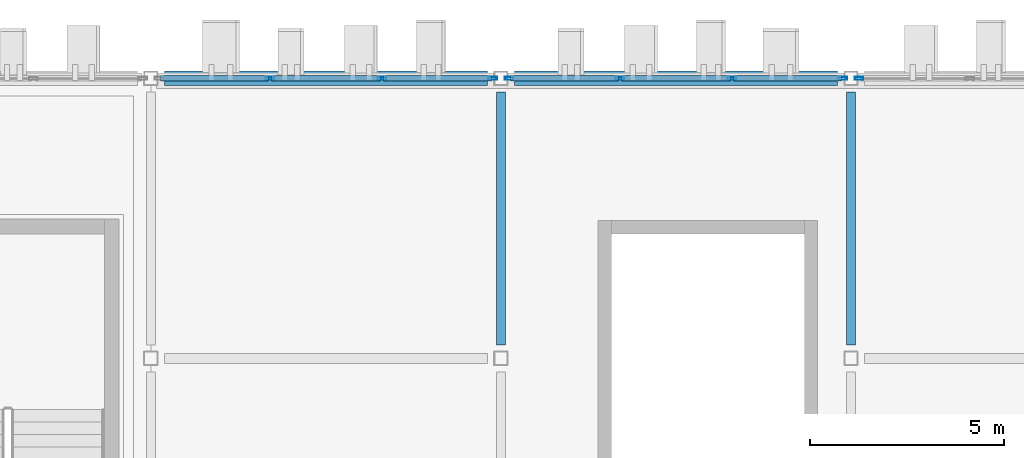
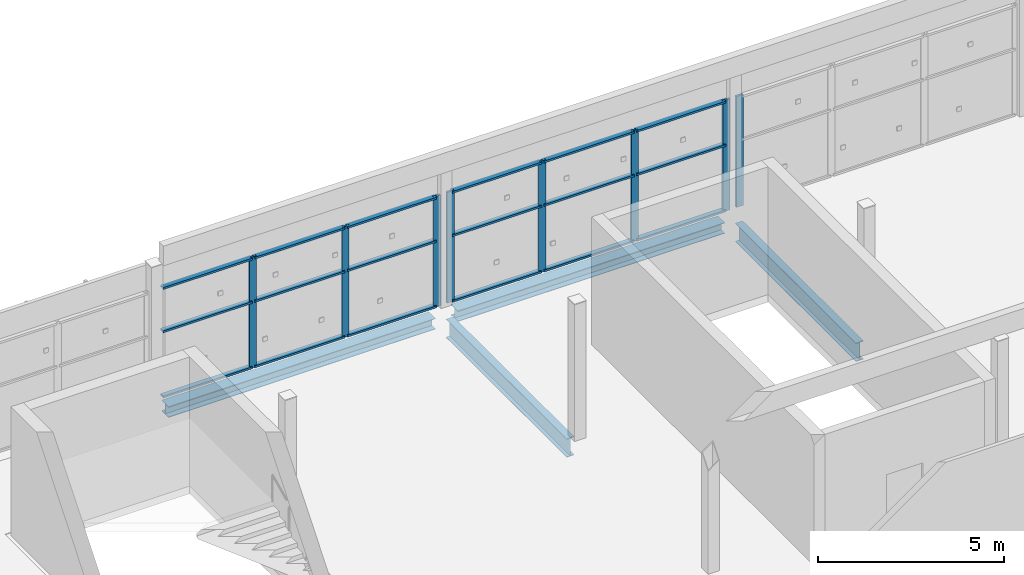
# One storey, part 70 of 124: 26 members, 4 beams, 3 elements without a shape of their own.
"""IFC4 building model written with IfcOpenShell, lengths in metres."""

from ifc_helpers import new_model, si_unit, direction, frame, origin, origin_2d, place, context, subcontext, project, spatial, hollow_rectangle, i_section, extrude, material, layer, layer_set, material_profile, profile_set, type_object, element, aggregate, save


model = new_model("IFC4")

# Units and contexts
model_context = context("Model", 3, precision=1e-05, world=origin(), true_north=direction((0.0, 1.0)))
body_context = subcontext(model_context, "Body", "Model", "MODEL_VIEW")
ifc_project = project(units=[si_unit("LENGTHUNIT", "METRE"), si_unit("AREAUNIT", "SQUARE_METRE"), si_unit("VOLUMEUNIT", "CUBIC_METRE"), si_unit("PLANEANGLEUNIT", "RADIAN"), si_unit("MASSUNIT", "GRAM", prefix="KILO")], contexts=[model_context])

# Site, building, storey
site_placement = place(None, origin())
site = spatial("IfcSite", under=ifc_project, at=site_placement, CompositionType="ELEMENT")
building_placement = place(site_placement, origin())
building = spatial("IfcBuilding", under=site, at=building_placement, Name="Celestram Park Convention Centre", CompositionType="ELEMENT")
storey_placement = place(building_placement, frame((0.0, 0.0, 15.300048828125)))
storey = spatial("IfcBuildingStorey", under=building, at=storey_placement, Name="L03", CompositionType="ELEMENT", Elevation=15.300048828125)

# Curtain wall, members
ifc_material_1 = material(Name="Anodised Aluminium Alloy 6063-T6", Category="aluminium")
ifc_layer_1 = layer(ifc_material_1, 0.179931640625)
ifc_layer_set_1 = layer_set([ifc_layer_1], Name="Anodised Aluminium Alloy 6063-T6")
curtain_wall_type_1 = type_object("IfcCurtainWallType", Name="ARC-CW-865X364", PredefinedType="NOTDEFINED", material=ifc_layer_set_1)
curtain_wall_1_placement = place(storey_placement, origin())
curtain_wall_1 = element("IfcCurtainWall", 1, at=curtain_wall_1_placement, inside=storey, type_object=curtain_wall_type_1, Name="Unitised curtain wall CU-L03-210", PredefinedType="NOTDEFINED")
ifc_material_profile_1 = material_profile(ifc_material_1, hollow_rectangle(XDim=0.074951171875, YDim=0.219970703125, WallThickness=0.00390625, at=origin_2d()), Name="ALU75X220X4")
ifc_profile_set_1 = profile_set([ifc_material_profile_1], Name="Anodised Aluminium Alloy 6063-T6")
member_type_1 = type_object("IfcMemberType", Name="ARC-CWM-180", PredefinedType="MULLION", material=ifc_profile_set_1)
member_1_placement = place(storey_placement, frame((102.0576171875, 165.60009765625, 0.0), z_axis=(0.0, 0.0, 1.0), x_axis=(0.0, 1.0, 0.0)))
member_1 = element("IfcMember", 2, at=member_1_placement, type_object=member_type_1, Name="CW-86X36 mullion 2", PredefinedType="MULLION", context=body_context, shape_type="SweptSolid", body=[
    extrude(hollow_rectangle(XDim=0.074951171875, YDim=0.219970703125, WallThickness=0.00390625, at=origin_2d()), origin(), (0.0, 0.0, 1.0), 3.637939453125),
])
member_2_placement = place(storey_placement, frame((104.9423828125, 165.60009765625, 0.0), z_axis=(0.0, 0.0, 1.0), x_axis=(0.0, 1.0, 0.0)))
member_2 = element("IfcMember", 3, at=member_2_placement, type_object=member_type_1, Name="CW-86X36 mullion 3", PredefinedType="MULLION", context=body_context, shape_type="SweptSolid", body=[
    extrude(hollow_rectangle(XDim=0.074951171875, YDim=0.219970703125, WallThickness=0.00390625, at=origin_2d()), origin(), (0.0, 0.0, 1.0), 3.637939453125),
])
member_3_placement = place(storey_placement, frame((107.78955078125, 165.60009765625, 0.0), z_axis=(0.0, 0.0, 1.0), x_axis=(0.0, 1.0, 0.0)))
member_3 = element("IfcMember", 4, at=member_3_placement, type_object=member_type_1, Name="CW-86X36 mullion 4", PredefinedType="MULLION", context=body_context, shape_type="SweptSolid", body=[
    extrude(hollow_rectangle(XDim=0.074951171875, YDim=0.219970703125, WallThickness=0.00390625, at=origin_2d()), origin(), (0.0, 0.0, 1.0), 3.637939453125),
])

ifc_layer_2 = layer(ifc_material_1, 0.179931640625)
ifc_layer_set_2 = layer_set([ifc_layer_2], Name="Anodised Aluminium Alloy 6063-T6")
curtain_wall_type_2 = type_object("IfcCurtainWallType", Name="ARC-CW-865X365", PredefinedType="NOTDEFINED", material=ifc_layer_set_2)
curtain_wall_2_placement = place(storey_placement, origin())
curtain_wall_2 = element("IfcCurtainWall", 5, at=curtain_wall_2_placement, inside=storey, type_object=curtain_wall_type_2, Name="Unitised curtain wall CU-L03-211", PredefinedType="NOTDEFINED")
member_4_placement = place(storey_placement, frame((108.21044921875, 165.60009765625, 0.0), z_axis=(0.0, 0.0, 1.0), x_axis=(0.0, 1.0, 0.0)))
member_4 = element("IfcMember", 6, at=member_4_placement, type_object=member_type_1, Name="CW-86X36 mullion 1", PredefinedType="MULLION", context=body_context, shape_type="SweptSolid", body=[
    extrude(hollow_rectangle(XDim=0.074951171875, YDim=0.219970703125, WallThickness=0.00390625, at=origin_2d()), origin(), (0.0, 0.0, 1.0), 3.64794921875),
])
member_5_placement = place(storey_placement, frame((111.0576171875, 165.60009765625, 0.0), z_axis=(0.0, 0.0, 1.0), x_axis=(0.0, 1.0, 0.0)))
member_5 = element("IfcMember", 7, at=member_5_placement, type_object=member_type_1, Name="CW-86X36 mullion 2", PredefinedType="MULLION", context=body_context, shape_type="SweptSolid", body=[
    extrude(hollow_rectangle(XDim=0.074951171875, YDim=0.219970703125, WallThickness=0.00390625, at=origin_2d()), origin(), (0.0, 0.0, 1.0), 3.64794921875),
])
member_6_placement = place(storey_placement, frame((113.9423828125, 165.60009765625, 0.0), z_axis=(0.0, 0.0, 1.0), x_axis=(0.0, 1.0, 0.0)))
member_6 = element("IfcMember", 8, at=member_6_placement, type_object=member_type_1, Name="CW-86X36 mullion 3", PredefinedType="MULLION", context=body_context, shape_type="SweptSolid", body=[
    extrude(hollow_rectangle(XDim=0.074951171875, YDim=0.219970703125, WallThickness=0.00390625, at=origin_2d()), origin(), (0.0, 0.0, 1.0), 3.64794921875),
])
member_7_placement = place(storey_placement, frame((116.78955078125, 165.60009765625, 0.0), z_axis=(0.0, 0.0, 1.0), x_axis=(0.0, 1.0, 0.0)))
member_7 = element("IfcMember", 9, at=member_7_placement, type_object=member_type_1, Name="CW-86X36 mullion 4", PredefinedType="MULLION", context=body_context, shape_type="SweptSolid", body=[
    extrude(hollow_rectangle(XDim=0.074951171875, YDim=0.219970703125, WallThickness=0.00390625, at=origin_2d()), origin(), (0.0, 0.0, 1.0), 3.64794921875),
])

# Curtain wall, member
curtain_wall_3_placement = place(storey_placement, origin())
curtain_wall_3 = element("IfcCurtainWall", 10, at=curtain_wall_3_placement, inside=storey, type_object=curtain_wall_type_2, Name="Unitised curtain wall CU-L03-212", PredefinedType="NOTDEFINED")
member_8_placement = place(storey_placement, frame((117.21044921875, 165.60009765625, 0.0), z_axis=(0.0, 0.0, 1.0), x_axis=(0.0, 1.0, 0.0)))
member_8 = element("IfcMember", 11, at=member_8_placement, type_object=member_type_1, Name="CW-86X36 mullion 1", PredefinedType="MULLION", context=body_context, shape_type="SweptSolid", body=[
    extrude(hollow_rectangle(XDim=0.074951171875, YDim=0.219970703125, WallThickness=0.00390625, at=origin_2d()), origin(), (0.0, 0.0, 1.0), 3.64794921875),
])
aggregate(curtain_wall_3, [member_8])

# Member
ifc_material_profile_2 = material_profile(ifc_material_1, hollow_rectangle(XDim=0.14990234375, YDim=0.06494140625, WallThickness=0.0029296875, at=origin_2d()), Name="ALU150X65X3")
ifc_profile_set_2 = profile_set([ifc_material_profile_2], Name="Anodised Aluminium Alloy 6063-T6")
member_type_2 = type_object("IfcMemberType", Name="ARC-CWT-150", PredefinedType="USERDEFINED", material=ifc_profile_set_2)
member_9_placement = place(storey_placement, frame((99.248046875, 165.60009765625, 0.032470703125), z_axis=(1.0, 0.0, 0.0), x_axis=(0.0, 1.0, 0.0)))
member_9 = element("IfcMember", 12, at=member_9_placement, type_object=member_type_2, Name="CW-86X36 transom 1.1", ObjectType="TRANSOM", PredefinedType="USERDEFINED", context=body_context, shape_type="SweptSolid", body=[
    extrude(hollow_rectangle(XDim=0.14990234375, YDim=0.06494140625, WallThickness=0.0029296875, at=origin_2d()), origin(), (0.0, 0.0, 1.0), 2.772216796875),
])

member_10_placement = place(storey_placement, frame((99.248046875, 165.60009765625, 2.182861328125), z_axis=(1.0, 0.0, 0.0), x_axis=(0.0, 1.0, 0.0)))
member_10 = element("IfcMember", 13, at=member_10_placement, type_object=member_type_2, Name="CW-86X36 transom 1.2", ObjectType="TRANSOM", PredefinedType="USERDEFINED", context=body_context, shape_type="SweptSolid", body=[
    extrude(hollow_rectangle(XDim=0.14990234375, YDim=0.06494140625, WallThickness=0.0029296875, at=origin_2d()), origin(), (0.0, 0.0, 1.0), 2.772216796875),
])

member_11_placement = place(storey_placement, frame((99.248046875, 165.60009765625, 3.60546875), z_axis=(1.0, 0.0, 0.0), x_axis=(0.0, 1.0, 0.0)))
member_11 = element("IfcMember", 14, at=member_11_placement, type_object=member_type_2, Name="CW-86X36 transom 1.3", ObjectType="TRANSOM", PredefinedType="USERDEFINED", context=body_context, shape_type="SweptSolid", body=[
    extrude(hollow_rectangle(XDim=0.14990234375, YDim=0.06494140625, WallThickness=0.0029296875, at=origin_2d()), origin(), (0.0, 0.0, 1.0), 2.772216796875),
])

member_12_placement = place(storey_placement, frame((102.09521484375, 165.60009765625, 0.032470703125), z_axis=(1.0, 0.0, 0.0), x_axis=(0.0, 1.0, 0.0)))
member_12 = element("IfcMember", 15, at=member_12_placement, type_object=member_type_2, Name="CW-86X36 transom 2.1", ObjectType="TRANSOM", PredefinedType="USERDEFINED", context=body_context, shape_type="SweptSolid", body=[
    extrude(hollow_rectangle(XDim=0.14990234375, YDim=0.06494140625, WallThickness=0.0029296875, at=origin_2d()), origin(), (0.0, 0.0, 1.0), 2.8095703125),
])

member_13_placement = place(storey_placement, frame((102.09521484375, 165.60009765625, 2.182861328125), z_axis=(1.0, 0.0, 0.0), x_axis=(0.0, 1.0, 0.0)))
member_13 = element("IfcMember", 16, at=member_13_placement, type_object=member_type_2, Name="CW-86X36 transom 2.2", ObjectType="TRANSOM", PredefinedType="USERDEFINED", context=body_context, shape_type="SweptSolid", body=[
    extrude(hollow_rectangle(XDim=0.14990234375, YDim=0.06494140625, WallThickness=0.0029296875, at=origin_2d()), origin(), (0.0, 0.0, 1.0), 2.8095703125),
])

member_14_placement = place(storey_placement, frame((102.09521484375, 165.60009765625, 3.60546875), z_axis=(1.0, 0.0, 0.0), x_axis=(0.0, 1.0, 0.0)))
member_14 = element("IfcMember", 17, at=member_14_placement, type_object=member_type_2, Name="CW-86X36 transom 2.3", ObjectType="TRANSOM", PredefinedType="USERDEFINED", context=body_context, shape_type="SweptSolid", body=[
    extrude(hollow_rectangle(XDim=0.14990234375, YDim=0.06494140625, WallThickness=0.0029296875, at=origin_2d()), origin(), (0.0, 0.0, 1.0), 2.8095703125),
])

member_15_placement = place(storey_placement, frame((104.979736328125, 165.60009765625, 0.032470703125), z_axis=(1.0, 0.0, 0.0), x_axis=(0.0, 1.0, 0.0)))
member_15 = element("IfcMember", 18, at=member_15_placement, type_object=member_type_2, Name="CW-86X36 transom 3.1", ObjectType="TRANSOM", PredefinedType="USERDEFINED", context=body_context, shape_type="SweptSolid", body=[
    extrude(hollow_rectangle(XDim=0.14990234375, YDim=0.06494140625, WallThickness=0.0029296875, at=origin_2d()), origin(), (0.0, 0.0, 1.0), 2.772216796875),
])

member_16_placement = place(storey_placement, frame((104.979736328125, 165.60009765625, 2.182861328125), z_axis=(1.0, 0.0, 0.0), x_axis=(0.0, 1.0, 0.0)))
member_16 = element("IfcMember", 19, at=member_16_placement, type_object=member_type_2, Name="CW-86X36 transom 3.2", ObjectType="TRANSOM", PredefinedType="USERDEFINED", context=body_context, shape_type="SweptSolid", body=[
    extrude(hollow_rectangle(XDim=0.14990234375, YDim=0.06494140625, WallThickness=0.0029296875, at=origin_2d()), origin(), (0.0, 0.0, 1.0), 2.772216796875),
])

member_17_placement = place(storey_placement, frame((104.979736328125, 165.60009765625, 3.60546875), z_axis=(1.0, 0.0, 0.0), x_axis=(0.0, 1.0, 0.0)))
member_17 = element("IfcMember", 20, at=member_17_placement, type_object=member_type_2, Name="CW-86X36 transom 3.3", ObjectType="TRANSOM", PredefinedType="USERDEFINED", context=body_context, shape_type="SweptSolid", body=[
    extrude(hollow_rectangle(XDim=0.14990234375, YDim=0.06494140625, WallThickness=0.0029296875, at=origin_2d()), origin(), (0.0, 0.0, 1.0), 2.772216796875),
])

aggregate(curtain_wall_1, [member_1, member_2, member_3, member_9, member_10, member_11, member_12, member_13, member_14, member_15, member_16, member_17])

member_18_placement = place(storey_placement, frame((108.248046875, 165.60009765625, 0.032470703125), z_axis=(1.0, 0.0, 0.0), x_axis=(0.0, 1.0, 0.0)))
member_18 = element("IfcMember", 21, at=member_18_placement, type_object=member_type_2, Name="CW-86X36 transom 1.1", ObjectType="TRANSOM", PredefinedType="USERDEFINED", context=body_context, shape_type="SweptSolid", body=[
    extrude(hollow_rectangle(XDim=0.14990234375, YDim=0.06494140625, WallThickness=0.0029296875, at=origin_2d()), origin(), (0.0, 0.0, 1.0), 2.772216796875),
])

member_19_placement = place(storey_placement, frame((108.248046875, 165.60009765625, 2.18896484375), z_axis=(1.0, 0.0, 0.0), x_axis=(0.0, 1.0, 0.0)))
member_19 = element("IfcMember", 22, at=member_19_placement, type_object=member_type_2, Name="CW-86X36 transom 1.2", ObjectType="TRANSOM", PredefinedType="USERDEFINED", context=body_context, shape_type="SweptSolid", body=[
    extrude(hollow_rectangle(XDim=0.14990234375, YDim=0.06494140625, WallThickness=0.0029296875, at=origin_2d()), origin(), (0.0, 0.0, 1.0), 2.772216796875),
])

member_20_placement = place(storey_placement, frame((108.248046875, 165.60009765625, 3.615478515625), z_axis=(1.0, 0.0, 0.0), x_axis=(0.0, 1.0, 0.0)))
member_20 = element("IfcMember", 23, at=member_20_placement, type_object=member_type_2, Name="CW-86X36 transom 1.3", ObjectType="TRANSOM", PredefinedType="USERDEFINED", context=body_context, shape_type="SweptSolid", body=[
    extrude(hollow_rectangle(XDim=0.14990234375, YDim=0.06494140625, WallThickness=0.0029296875, at=origin_2d()), origin(), (0.0, 0.0, 1.0), 2.772216796875),
])

member_21_placement = place(storey_placement, frame((111.09521484375, 165.60009765625, 0.032470703125), z_axis=(1.0, 0.0, 0.0), x_axis=(0.0, 1.0, 0.0)))
member_21 = element("IfcMember", 24, at=member_21_placement, type_object=member_type_2, Name="CW-86X36 transom 2.1", ObjectType="TRANSOM", PredefinedType="USERDEFINED", context=body_context, shape_type="SweptSolid", body=[
    extrude(hollow_rectangle(XDim=0.14990234375, YDim=0.06494140625, WallThickness=0.0029296875, at=origin_2d()), origin(), (0.0, 0.0, 1.0), 2.8095703125),
])

member_22_placement = place(storey_placement, frame((111.09521484375, 165.60009765625, 2.18896484375), z_axis=(1.0, 0.0, 0.0), x_axis=(0.0, 1.0, 0.0)))
member_22 = element("IfcMember", 25, at=member_22_placement, type_object=member_type_2, Name="CW-86X36 transom 2.2", ObjectType="TRANSOM", PredefinedType="USERDEFINED", context=body_context, shape_type="SweptSolid", body=[
    extrude(hollow_rectangle(XDim=0.14990234375, YDim=0.06494140625, WallThickness=0.0029296875, at=origin_2d()), origin(), (0.0, 0.0, 1.0), 2.8095703125),
])

member_23_placement = place(storey_placement, frame((111.09521484375, 165.60009765625, 3.615478515625), z_axis=(1.0, 0.0, 0.0), x_axis=(0.0, 1.0, 0.0)))
member_23 = element("IfcMember", 26, at=member_23_placement, type_object=member_type_2, Name="CW-86X36 transom 2.3", ObjectType="TRANSOM", PredefinedType="USERDEFINED", context=body_context, shape_type="SweptSolid", body=[
    extrude(hollow_rectangle(XDim=0.14990234375, YDim=0.06494140625, WallThickness=0.0029296875, at=origin_2d()), origin(), (0.0, 0.0, 1.0), 2.8095703125),
])

member_24_placement = place(storey_placement, frame((113.979736328125, 165.60009765625, 0.032470703125), z_axis=(1.0, 0.0, 0.0), x_axis=(0.0, 1.0, 0.0)))
member_24 = element("IfcMember", 27, at=member_24_placement, type_object=member_type_2, Name="CW-86X36 transom 3.1", ObjectType="TRANSOM", PredefinedType="USERDEFINED", context=body_context, shape_type="SweptSolid", body=[
    extrude(hollow_rectangle(XDim=0.14990234375, YDim=0.06494140625, WallThickness=0.0029296875, at=origin_2d()), origin(), (0.0, 0.0, 1.0), 2.772216796875),
])

member_25_placement = place(storey_placement, frame((113.979736328125, 165.60009765625, 2.18896484375), z_axis=(1.0, 0.0, 0.0), x_axis=(0.0, 1.0, 0.0)))
member_25 = element("IfcMember", 28, at=member_25_placement, type_object=member_type_2, Name="CW-86X36 transom 3.2", ObjectType="TRANSOM", PredefinedType="USERDEFINED", context=body_context, shape_type="SweptSolid", body=[
    extrude(hollow_rectangle(XDim=0.14990234375, YDim=0.06494140625, WallThickness=0.0029296875, at=origin_2d()), origin(), (0.0, 0.0, 1.0), 2.772216796875),
])

member_26_placement = place(storey_placement, frame((113.979736328125, 165.60009765625, 3.615478515625), z_axis=(1.0, 0.0, 0.0), x_axis=(0.0, 1.0, 0.0)))
member_26 = element("IfcMember", 29, at=member_26_placement, type_object=member_type_2, Name="CW-86X36 transom 3.3", ObjectType="TRANSOM", PredefinedType="USERDEFINED", context=body_context, shape_type="SweptSolid", body=[
    extrude(hollow_rectangle(XDim=0.14990234375, YDim=0.06494140625, WallThickness=0.0029296875, at=origin_2d()), origin(), (0.0, 0.0, 1.0), 2.772216796875),
])

aggregate(curtain_wall_2, [member_4, member_5, member_6, member_7, member_18, member_19, member_20, member_21, member_22, member_23, member_24, member_25, member_26])

# Beams
ifc_material_2 = material(Name="Steel ASTM A992 Grade 50", Category="steel")
ifc_material_profile_3 = material_profile(ifc_material_2, i_section(OverallWidth=0.22900390625, OverallDepth=0.612060546875, WebThickness=0.011962890625, FlangeThickness=0.01953125, at=origin_2d()), Name="W24X84")
ifc_profile_set_3 = profile_set([ifc_material_profile_3], Name="Steel ASTM A992 Grade 50")
beam_type_1 = type_object("IfcBeamType", Name="STR-BM-W24X84", PredefinedType="BEAM", material=ifc_profile_set_3)
for number, where, z_axis, x_axis, name in (
    (30, (108.0, 158.748046875, -0.55615234375), (0.0, 1.0, 0.0), (-1.0, 0.0, 0.0), "Primary Y-girder BG-L03-0129"),
    (31, (117.0, 158.748046875, -0.55615234375), (0.0, 1.0, 0.0), (-1.0, 0.0, 0.0), "Primary Y-girder BG-L03-0145"),
):
    element("IfcBeam", number, at=place(storey_placement, frame(where, z_axis=z_axis, x_axis=x_axis)), inside=storey, type_object=beam_type_1, Name=name, PredefinedType="BEAM", context=body_context, shape_type="SweptSolid", body=[
        extrude(i_section(OverallWidth=0.22900390625, OverallDepth=0.612060546875, WebThickness=0.011962890625, FlangeThickness=0.01953125, at=origin_2d()), origin(), (0.0, 0.0, 1.0), 6.50390625),
    ])
ifc_material_profile_4 = material_profile(ifc_material_2, i_section(OverallWidth=0.367919921875, OverallDepth=0.35595703125, WebThickness=0.01123046875, FlangeThickness=0.01806640625, at=origin_2d()), Name="W14X90")
ifc_profile_set_4 = profile_set([ifc_material_profile_4], Name="Steel ASTM A992 Grade 50")
beam_type_2 = type_object("IfcBeamType", Name="STR-SPN-W14X90", PredefinedType="SPANDREL", material=ifc_profile_set_4)
for number, where, z_axis, x_axis, name in (
    (32, (99.347900390625, 165.60009765625, -0.427978515625), (1.0, 0.0, 0.0), (0.0, 1.0, 0.0), "Primary X-girder BG-L03-0116"),
    (33, (108.347900390625, 165.60009765625, -0.427978515625), (1.0, 0.0, 0.0), (0.0, 1.0, 0.0), "Primary X-girder BG-L03-0130"),
):
    element("IfcBeam", number, at=place(storey_placement, frame(where, z_axis=z_axis, x_axis=x_axis)), inside=storey, type_object=beam_type_2, Name=name, PredefinedType="SPANDREL", context=body_context, shape_type="SweptSolid", body=[
        extrude(i_section(OverallWidth=0.367919921875, OverallDepth=0.35595703125, WebThickness=0.01123046875, FlangeThickness=0.01806640625, at=origin_2d()), origin(), (0.0, 0.0, 1.0), 8.30419921875),
    ])

save(model, "model.ifc")
